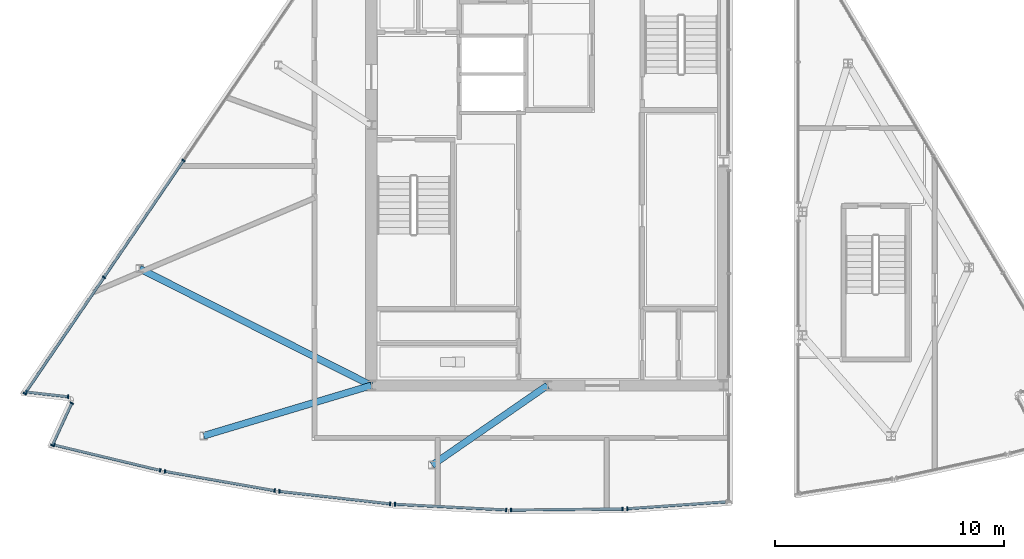
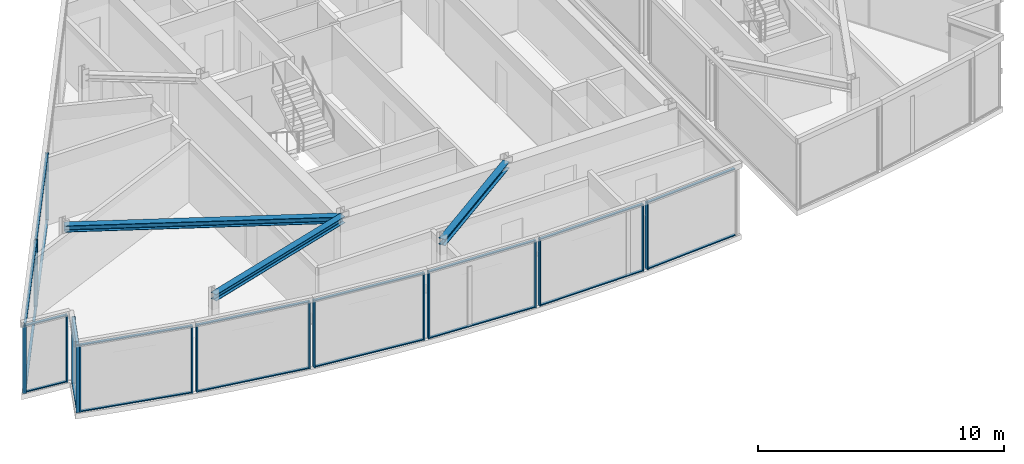
# One storey, part 3 of 15: 38 members, 3 beams, 9 elements without a shape of their own.
"""IFC4 building model written with IfcOpenShell, lengths in metres."""

from ifc_helpers import new_model, si_unit, direction, frame, origin, origin_2d, place, context, subcontext, project, spatial, rectangle, i_section, extrude, material, material_profile, profile_set, type_object, element, aggregate, save


model = new_model("IFC4")

# Units and contexts
model_context = context("Model", 3, precision=1e-05, world=origin(), true_north=direction((0.0, 1.0)))
body_context = subcontext(model_context, "Body", "Model", "MODEL_VIEW")
ifc_project = project(units=[si_unit("LENGTHUNIT", "METRE"), si_unit("AREAUNIT", "SQUARE_METRE"), si_unit("VOLUMEUNIT", "CUBIC_METRE"), si_unit("PLANEANGLEUNIT", "RADIAN"), si_unit("MASSUNIT", "GRAM", prefix="KILO")], contexts=[model_context])

# Site, building, storey
site_placement = place(None, origin())
site = spatial("IfcSite", under=ifc_project, at=site_placement, CompositionType="ELEMENT")
building_placement = place(site_placement, origin())
building = spatial("IfcBuilding", under=site, at=building_placement, Name="Savorim Split Tower", CompositionType="ELEMENT")
storey_placement = place(building_placement, frame((0.0, 0.0, 308.39990234375)))
storey = spatial("IfcBuildingStorey", under=building, at=storey_placement, Name="Crown L82 Plant", CompositionType="ELEMENT", Elevation=308.39990234375)

# Beams
ifc_material_1 = material(Name="Steel S355", Category="steel")
ifc_material_profile_1 = material_profile(ifc_material_1, i_section(OverallWidth=0.300048828125, OverallDepth=0.320068359375, WebThickness=0.011474609375, FlangeThickness=0.0205078125, FilletRadius=0.027099609375, at=origin_2d()), Name="HEB 320")
ifc_profile_set_1 = profile_set([ifc_material_profile_1], Name="Steel S355")
beam_type = type_object("IfcBeamType", Name="BM-PRI-HEB320", PredefinedType="BEAM", material=ifc_profile_set_1)
beam_1_placement = place(storey_placement, frame((-15.037109375, -11.6015625, 3.18017578125), z_axis=(0.957807862617, 0.287409287096, 0.0), x_axis=(-0.287409287096, 0.957807862617, 0.0)))
element("IfcBeam", 1, at=beam_1_placement, inside=storey, type_object=beam_type, Name="Crown L82 Plant West Crown Beam WBG-1", PredefinedType="BEAM", context=body_context, shape_type="SweptSolid", body=[
    extrude(i_section(OverallWidth=0.300048828125, OverallDepth=0.320068359375, WebThickness=0.011474609375, FlangeThickness=0.0205078125, FilletRadius=0.027099609375, at=origin_2d()), origin(), (0.0, 0.0, 1.0), 7.660400390625),
])
beam_2_placement = place(storey_placement, frame((-5.039794921875, -12.885009765625, 3.18017578125), z_axis=(0.82249616242, 0.568770659233, 0.0), x_axis=(-0.568770659233, 0.82249616242, 0.0)))
element("IfcBeam", 2, at=beam_2_placement, inside=storey, type_object=beam_type, Name="Crown L82 Plant West Crown Beam WBG-2", PredefinedType="BEAM", context=body_context, shape_type="SweptSolid", body=[
    extrude(i_section(OverallWidth=0.300048828125, OverallDepth=0.320068359375, WebThickness=0.011474609375, FlangeThickness=0.0205078125, FilletRadius=0.027099609375, at=origin_2d()), origin(), (0.0, 0.0, 1.0), 6.12744140625),
])
beam_3_placement = place(storey_placement, frame((-17.84033203125, -4.288818359375, 3.18017578125), z_axis=(0.892982084202, -0.450092209769, 0.0), x_axis=(0.450092209769, 0.892982084202, 0.0)))
element("IfcBeam", 3, at=beam_3_placement, inside=storey, type_object=beam_type, Name="Crown L82 Plant West Crown Beam WBG-3", PredefinedType="BEAM", context=body_context, shape_type="SweptSolid", body=[
    extrude(i_section(OverallWidth=0.300048828125, OverallDepth=0.320068359375, WebThickness=0.011474609375, FlangeThickness=0.0205078125, FilletRadius=0.027099609375, at=origin_2d()), origin(), (0.0, 0.0, 1.0), 11.355712890625),
])

# Curtain wall, members
ifc_material_2 = material(Name="Dark Ceramic-Fritted Insulated Glass", Category="glass")
curtain_wall_type = type_object("IfcCurtainWallType", Name="CW-CROWN-CREST", PredefinedType="NOTDEFINED", material=ifc_material_2)
curtain_wall_1_placement = place(storey_placement, origin())
curtain_wall_1 = element("IfcCurtainWall", 4, at=curtain_wall_1_placement, inside=storey, type_object=curtain_wall_type, Name="Crown L82 Plant Curtain Wall CW-Crown-L82-Plant-W5A", PredefinedType="NOTDEFINED")
ifc_material_3 = material(Name="Charcoal Anodised Aluminium", Category="aluminium")
ifc_material_profile_2 = material_profile(ifc_material_3, rectangle(XDim=0.159912109375, YDim=0.06005859375, at=origin_2d()), Name="ALU-M 160x60")
ifc_profile_set_2 = profile_set([ifc_material_profile_2], Name="Charcoal Anodised Aluminium")
member_type_1 = type_object("IfcMemberType", Name="CWM-160x60", PredefinedType="MULLION", material=ifc_profile_set_2)
member_1_placement = place(storey_placement, frame((-15.920654296875, 0.44140625, 0.0), z_axis=(0.0, 0.0, 1.0), x_axis=(0.826820209183, -0.562466302712, 0.0)))
member_1 = element("IfcMember", 5, at=member_1_placement, type_object=member_type_1, Name="CW-07 mullion 5", PredefinedType="MULLION", context=body_context, shape_type="SweptSolid", body=[
    extrude(rectangle(XDim=0.159912109375, YDim=0.06005859375, at=origin_2d()), origin(), (0.0, 0.0, 1.0), 3.340087890625),
])
member_2_placement = place(storey_placement, frame((-19.398681640625, -4.67138671875, 0.0), z_axis=(0.0, 0.0, 1.0), x_axis=(0.826820209183, -0.562466302712, 0.0)))
member_2 = element("IfcMember", 6, at=member_2_placement, type_object=member_type_1, Name="CW-07 mullion 6", PredefinedType="MULLION", context=body_context, shape_type="SweptSolid", body=[
    extrude(rectangle(XDim=0.159912109375, YDim=0.06005859375, at=origin_2d()), origin(), (0.0, 0.0, 1.0), 3.340087890625),
])
member_3_placement = place(storey_placement, frame((-22.85986328125, -9.75927734375, 0.0), z_axis=(0.0, 0.0, 1.0), x_axis=(0.826820209183, -0.562466302712, 0.0)))
member_3 = element("IfcMember", 7, at=member_3_placement, type_object=member_type_1, Name="CW-07 mullion 7", PredefinedType="MULLION", context=body_context, shape_type="SweptSolid", body=[
    extrude(rectangle(XDim=0.159912109375, YDim=0.06005859375, at=origin_2d()), origin(), (0.0, 0.0, 1.0), 3.340087890625),
])

curtain_wall_2_placement = place(storey_placement, origin())
curtain_wall_2 = element("IfcCurtainWall", 8, at=curtain_wall_2_placement, inside=storey, type_object=curtain_wall_type, Name="Crown L82 Plant Curtain Wall CW-Crown-L82-Plant-W6A", PredefinedType="NOTDEFINED")
member_4_placement = place(storey_placement, frame((-22.7939453125, -9.6875, 0.0), z_axis=(0.0, 0.0, 1.0), x_axis=(0.110957732907, 0.993825126221, 0.0)))
member_4 = element("IfcMember", 9, at=member_4_placement, type_object=member_type_1, Name="CW-07 mullion 1", PredefinedType="MULLION", context=body_context, shape_type="SweptSolid", body=[
    extrude(rectangle(XDim=0.159912109375, YDim=0.06005859375, at=origin_2d()), origin(), (0.0, 0.0, 1.0), 3.340087890625),
])
member_5_placement = place(storey_placement, frame((-20.96728515625, -9.891357421875, 0.0), z_axis=(0.0, 0.0, 1.0), x_axis=(0.110957732907, 0.993825126221, 0.0)))
member_5 = element("IfcMember", 10, at=member_5_placement, type_object=member_type_1, Name="CW-07 mullion 2", PredefinedType="MULLION", context=body_context, shape_type="SweptSolid", body=[
    extrude(rectangle(XDim=0.159912109375, YDim=0.06005859375, at=origin_2d()), origin(), (0.0, 0.0, 1.0), 3.340087890625),
])

curtain_wall_3_placement = place(storey_placement, origin())
curtain_wall_3 = element("IfcCurtainWall", 11, at=curtain_wall_3_placement, inside=storey, type_object=curtain_wall_type, Name="Crown L82 Plant Curtain Wall CW-Crown-L82-Plant-W7A", PredefinedType="NOTDEFINED")
member_6_placement = place(storey_placement, frame((-20.80810546875, -10.1728515625, 0.0), z_axis=(0.0, 0.0, 1.0), x_axis=(0.908685667649, -0.417480966524, 0.0)))
member_6 = element("IfcMember", 12, at=member_6_placement, type_object=member_type_1, Name="CW-07 mullion 1", PredefinedType="MULLION", context=body_context, shape_type="SweptSolid", body=[
    extrude(rectangle(XDim=0.159912109375, YDim=0.06005859375, at=origin_2d()), origin(), (0.0, 0.0, 1.0), 3.340087890625),
])
member_7_placement = place(storey_placement, frame((-21.65625, -12.01904296875, 0.0), z_axis=(0.0, 0.0, 1.0), x_axis=(0.908685667649, -0.417480966524, 0.0)))
member_7 = element("IfcMember", 13, at=member_7_placement, type_object=member_type_1, Name="CW-07 mullion 2", PredefinedType="MULLION", context=body_context, shape_type="SweptSolid", body=[
    extrude(rectangle(XDim=0.159912109375, YDim=0.06005859375, at=origin_2d()), origin(), (0.0, 0.0, 1.0), 3.340087890625),
])

curtain_wall_4_placement = place(storey_placement, origin())
curtain_wall_4 = element("IfcCurtainWall", 14, at=curtain_wall_4_placement, inside=storey, type_object=curtain_wall_type, Name="Crown L82 Plant Curtain Wall CW-Crown-L82-Plant-W8A", PredefinedType="NOTDEFINED")
member_8_placement = place(storey_placement, frame((-21.57421875, -12.002197265625, 0.0), z_axis=(0.0, 0.0, 1.0), x_axis=(0.233166112298, 0.972436920358, 0.0)))
member_8 = element("IfcMember", 15, at=member_8_placement, type_object=member_type_1, Name="CW-07 mullion 1", PredefinedType="MULLION", context=body_context, shape_type="SweptSolid", body=[
    extrude(rectangle(XDim=0.159912109375, YDim=0.06005859375, at=origin_2d()), origin(), (0.0, 0.0, 1.0), 3.340087890625),
])
member_9_placement = place(storey_placement, frame((-16.93798828125, -13.114013671875, 0.0), z_axis=(0.0, 0.0, 1.0), x_axis=(0.233166112298, 0.972436920358, 0.0)))
member_9 = element("IfcMember", 16, at=member_9_placement, type_object=member_type_1, Name="CW-07 mullion 2", PredefinedType="MULLION", context=body_context, shape_type="SweptSolid", body=[
    extrude(rectangle(XDim=0.159912109375, YDim=0.06005859375, at=origin_2d()), origin(), (0.0, 0.0, 1.0), 3.340087890625),
])

curtain_wall_5_placement = place(storey_placement, origin())
curtain_wall_5 = element("IfcCurtainWall", 17, at=curtain_wall_5_placement, inside=storey, type_object=curtain_wall_type, Name="Crown L82 Plant Curtain Wall CW-Crown-L82-Plant-W9A", PredefinedType="NOTDEFINED")
member_10_placement = place(storey_placement, frame((-16.72998046875, -13.156982421875, 0.0), z_axis=(0.0, 0.0, 1.0), x_axis=(0.173062415713, 0.984910859046, 0.0)))
member_10 = element("IfcMember", 18, at=member_10_placement, type_object=member_type_1, Name="CW-07 mullion 1", PredefinedType="MULLION", context=body_context, shape_type="SweptSolid", body=[
    extrude(rectangle(XDim=0.159912109375, YDim=0.06005859375, at=origin_2d()), origin(), (0.0, 0.0, 1.0), 3.340087890625),
])
member_11_placement = place(storey_placement, frame((-11.93115234375, -14.000244140625, 0.0), z_axis=(0.0, 0.0, 1.0), x_axis=(0.173062415713, 0.984910859046, 0.0)))
member_11 = element("IfcMember", 19, at=member_11_placement, type_object=member_type_1, Name="CW-07 mullion 2", PredefinedType="MULLION", context=body_context, shape_type="SweptSolid", body=[
    extrude(rectangle(XDim=0.159912109375, YDim=0.06005859375, at=origin_2d()), origin(), (0.0, 0.0, 1.0), 3.340087890625),
])

curtain_wall_6_placement = place(storey_placement, origin())
curtain_wall_6 = element("IfcCurtainWall", 20, at=curtain_wall_6_placement, inside=storey, type_object=curtain_wall_type, Name="Crown L82 Plant Curtain Wall CW-Crown-L82-Plant-W10A", PredefinedType="NOTDEFINED")
member_12_placement = place(storey_placement, frame((-11.720703125, -14.030517578125, 0.0), z_axis=(0.0, 0.0, 1.0), x_axis=(0.112318298183, 0.993672279926, 0.0)))
member_12 = element("IfcMember", 21, at=member_12_placement, type_object=member_type_1, Name="CW-07 mullion 1", PredefinedType="MULLION", context=body_context, shape_type="SweptSolid", body=[
    extrude(rectangle(XDim=0.159912109375, YDim=0.06005859375, at=origin_2d()), origin(), (0.0, 0.0, 1.0), 3.340087890625),
])
member_13_placement = place(storey_placement, frame((-6.879150390625, -14.577880859375, 0.0), z_axis=(0.0, 0.0, 1.0), x_axis=(0.112318298183, 0.993672279926, 0.0)))
member_13 = element("IfcMember", 22, at=member_13_placement, type_object=member_type_1, Name="CW-07 mullion 2", PredefinedType="MULLION", context=body_context, shape_type="SweptSolid", body=[
    extrude(rectangle(XDim=0.159912109375, YDim=0.06005859375, at=origin_2d()), origin(), (0.0, 0.0, 1.0), 3.340087890625),
])

curtain_wall_7_placement = place(storey_placement, origin())
curtain_wall_7 = element("IfcCurtainWall", 23, at=curtain_wall_7_placement, inside=storey, type_object=curtain_wall_type, Name="Crown L82 Plant Curtain Wall CW-Crown-L82-Plant-W11A", PredefinedType="NOTDEFINED")
member_14_placement = place(storey_placement, frame((-6.66748046875, -14.59521484375, 0.0), z_axis=(0.0, 0.0, 1.0), x_axis=(0.0511509789, 0.998690931849, 0.0)))
member_14 = element("IfcMember", 24, at=member_14_placement, type_object=member_type_1, Name="CW-07 mullion 1", PredefinedType="MULLION", context=body_context, shape_type="SweptSolid", body=[
    extrude(rectangle(XDim=0.159912109375, YDim=0.06005859375, at=origin_2d()), origin(), (0.0, 0.0, 1.0), 3.340087890625),
])
member_15_placement = place(storey_placement, frame((-1.80126953125, -14.844482421875, 0.0), z_axis=(0.0, 0.0, 1.0), x_axis=(0.0511509789, 0.998690931849, 0.0)))
member_15 = element("IfcMember", 25, at=member_15_placement, type_object=member_type_1, Name="CW-07 mullion 2", PredefinedType="MULLION", context=body_context, shape_type="SweptSolid", body=[
    extrude(rectangle(XDim=0.159912109375, YDim=0.06005859375, at=origin_2d()), origin(), (0.0, 0.0, 1.0), 3.340087890625),
])

curtain_wall_8_placement = place(storey_placement, origin())
curtain_wall_8 = element("IfcCurtainWall", 26, at=curtain_wall_8_placement, inside=storey, type_object=curtain_wall_type, Name="Crown L82 Plant Curtain Wall CW-Crown-L82-Plant-W12A", PredefinedType="NOTDEFINED")
member_16_placement = place(storey_placement, frame((-1.5888671875, -14.8486328125, 0.0), z_axis=(0.0, 0.0, 1.0), x_axis=(-0.010238509564, 0.999947585087, 0.0)))
member_16 = element("IfcMember", 27, at=member_16_placement, type_object=member_type_1, Name="CW-07 mullion 1", PredefinedType="MULLION", context=body_context, shape_type="SweptSolid", body=[
    extrude(rectangle(XDim=0.159912109375, YDim=0.06005859375, at=origin_2d()), origin(), (0.0, 0.0, 1.0), 3.340087890625),
])
member_17_placement = place(storey_placement, frame((3.283203125, -14.798828125, 0.0), z_axis=(0.0, 0.0, 1.0), x_axis=(-0.010238509564, 0.999947585087, 0.0)))
member_17 = element("IfcMember", 28, at=member_17_placement, type_object=member_type_1, Name="CW-07 mullion 2", PredefinedType="MULLION", context=body_context, shape_type="SweptSolid", body=[
    extrude(rectangle(XDim=0.159912109375, YDim=0.06005859375, at=origin_2d()), origin(), (0.0, 0.0, 1.0), 3.340087890625),
])

# Curtain wall, member
curtain_wall_9_placement = place(storey_placement, origin())
curtain_wall_9 = element("IfcCurtainWall", 29, at=curtain_wall_9_placement, inside=storey, type_object=curtain_wall_type, Name="Crown L82 Plant Curtain Wall CW-Crown-L82-Plant-W13A", PredefinedType="NOTDEFINED")
member_18_placement = place(storey_placement, frame((3.495849609375, -14.790283203125, 0.0), z_axis=(0.0, 0.0, 1.0), x_axis=(-0.069697104159, 0.99756820001, 0.0)))
member_18 = element("IfcMember", 30, at=member_18_placement, type_object=member_type_1, Name="CW-07 mullion 1", PredefinedType="MULLION", context=body_context, shape_type="SweptSolid", body=[
    extrude(rectangle(XDim=0.159912109375, YDim=0.06005859375, at=origin_2d()), origin(), (0.0, 0.0, 1.0), 3.340087890625),
])

# Member
ifc_material_profile_3 = material_profile(ifc_material_3, rectangle(XDim=0.1201171875, YDim=0.050048828125, at=origin_2d()), Name="ALU-T 120x50")
ifc_profile_set_3 = profile_set([ifc_material_profile_3], Name="Charcoal Anodised Aluminium")
member_type_2 = type_object("IfcMemberType", Name="CWT-120x50", PredefinedType="USERDEFINED", material=ifc_profile_set_3)
member_19_placement = place(storey_placement, frame((-15.9375, 0.41650390625, 0.025146484375), z_axis=(-0.562459408624, -0.826824899026, 0.0), x_axis=(0.826824899026, -0.562459408624, 0.0)))
member_19 = element("IfcMember", 31, at=member_19_placement, type_object=member_type_2, Name="CW-07 transom 5.1", ObjectType="TRANSOM", PredefinedType="USERDEFINED", context=body_context, shape_type="SweptSolid", body=[
    extrude(rectangle(XDim=0.1201171875, YDim=0.050048828125, at=origin_2d()), origin(), (0.0, 0.0, 1.0), 6.123779296875),
])

member_20_placement = place(storey_placement, frame((-15.9375, 0.41650390625, 3.315185546875), z_axis=(-0.562459408624, -0.826824899026, 0.0), x_axis=(0.826824899026, -0.562459408624, 0.0)))
member_20 = element("IfcMember", 32, at=member_20_placement, type_object=member_type_2, Name="CW-07 transom 5.2", ObjectType="TRANSOM", PredefinedType="USERDEFINED", context=body_context, shape_type="SweptSolid", body=[
    extrude(rectangle(XDim=0.1201171875, YDim=0.050048828125, at=origin_2d()), origin(), (0.0, 0.0, 1.0), 6.123779296875),
])

member_21_placement = place(storey_placement, frame((-19.41552734375, -4.6962890625, 0.025146484375), z_axis=(-0.562470007154, -0.826817689126, 0.0), x_axis=(0.826817689126, -0.562470007154, 0.0)))
member_21 = element("IfcMember", 33, at=member_21_placement, type_object=member_type_2, Name="CW-07 transom 6.1", ObjectType="TRANSOM", PredefinedType="USERDEFINED", context=body_context, shape_type="SweptSolid", body=[
    extrude(rectangle(XDim=0.1201171875, YDim=0.050048828125, at=origin_2d()), origin(), (0.0, 0.0, 1.0), 6.09375),
])

member_22_placement = place(storey_placement, frame((-19.41552734375, -4.6962890625, 3.315185546875), z_axis=(-0.562470007154, -0.826817689126, 0.0), x_axis=(0.826817689126, -0.562470007154, 0.0)))
member_22 = element("IfcMember", 34, at=member_22_placement, type_object=member_type_2, Name="CW-07 transom 6.2", ObjectType="TRANSOM", PredefinedType="USERDEFINED", context=body_context, shape_type="SweptSolid", body=[
    extrude(rectangle(XDim=0.1201171875, YDim=0.050048828125, at=origin_2d()), origin(), (0.0, 0.0, 1.0), 6.09375),
])

aggregate(curtain_wall_1, [member_1, member_2, member_3, member_19, member_20, member_21, member_22])

member_23_placement = place(storey_placement, frame((-22.76416015625, -9.690673828125, 0.025146484375), z_axis=(0.993826670504, -0.110943900217, 0.0), x_axis=(0.110943900217, 0.993826670504, 0.0)))
member_23 = element("IfcMember", 35, at=member_23_placement, type_object=member_type_2, Name="CW-07 transom 1.1", ObjectType="TRANSOM", PredefinedType="USERDEFINED", context=body_context, shape_type="SweptSolid", body=[
    extrude(rectangle(XDim=0.1201171875, YDim=0.050048828125, at=origin_2d()), origin(), (0.0, 0.0, 1.0), 1.778076171875),
])

member_24_placement = place(storey_placement, frame((-22.76416015625, -9.690673828125, 3.315185546875), z_axis=(0.993826670504, -0.110943900217, 0.0), x_axis=(0.110943900217, 0.993826670504, 0.0)))
member_24 = element("IfcMember", 36, at=member_24_placement, type_object=member_type_2, Name="CW-07 transom 1.2", ObjectType="TRANSOM", PredefinedType="USERDEFINED", context=body_context, shape_type="SweptSolid", body=[
    extrude(rectangle(XDim=0.1201171875, YDim=0.050048828125, at=origin_2d()), origin(), (0.0, 0.0, 1.0), 1.778076171875),
])

aggregate(curtain_wall_2, [member_4, member_5, member_23, member_24])

member_25_placement = place(storey_placement, frame((-20.820556640625, -10.2001953125, 0.025146484375), z_axis=(-0.417549911469, -0.908653988838, 0.0), x_axis=(0.908653988838, -0.417549911469, 0.0)))
member_25 = element("IfcMember", 37, at=member_25_placement, type_object=member_type_2, Name="CW-07 transom 1.1", ObjectType="TRANSOM", PredefinedType="USERDEFINED", context=body_context, shape_type="SweptSolid", body=[
    extrude(rectangle(XDim=0.1201171875, YDim=0.050048828125, at=origin_2d()), origin(), (0.0, 0.0, 1.0), 1.9716796875),
])

member_26_placement = place(storey_placement, frame((-20.820556640625, -10.2001953125, 3.315185546875), z_axis=(-0.417549911469, -0.908653988838, 0.0), x_axis=(0.908653988838, -0.417549911469, 0.0)))
member_26 = element("IfcMember", 38, at=member_26_placement, type_object=member_type_2, Name="CW-07 transom 1.2", ObjectType="TRANSOM", PredefinedType="USERDEFINED", context=body_context, shape_type="SweptSolid", body=[
    extrude(rectangle(XDim=0.1201171875, YDim=0.050048828125, at=origin_2d()), origin(), (0.0, 0.0, 1.0), 1.9716796875),
])

aggregate(curtain_wall_3, [member_6, member_7, member_25, member_26])

member_27_placement = place(storey_placement, frame((-21.544921875, -12.00927734375, 0.025146484375), z_axis=(0.9724343592, -0.233176793545, 0.0), x_axis=(0.233176793545, 0.9724343592, 0.0)))
member_27 = element("IfcMember", 39, at=member_27_placement, type_object=member_type_2, Name="CW-07 transom 1.1", ObjectType="TRANSOM", PredefinedType="USERDEFINED", context=body_context, shape_type="SweptSolid", body=[
    extrude(rectangle(XDim=0.1201171875, YDim=0.050048828125, at=origin_2d()), origin(), (0.0, 0.0, 1.0), 4.70751953125),
])

member_28_placement = place(storey_placement, frame((-21.544921875, -12.00927734375, 3.315185546875), z_axis=(0.9724343592, -0.233176793545, 0.0), x_axis=(0.233176793545, 0.9724343592, 0.0)))
member_28 = element("IfcMember", 40, at=member_28_placement, type_object=member_type_2, Name="CW-07 transom 1.2", ObjectType="TRANSOM", PredefinedType="USERDEFINED", context=body_context, shape_type="SweptSolid", body=[
    extrude(rectangle(XDim=0.1201171875, YDim=0.050048828125, at=origin_2d()), origin(), (0.0, 0.0, 1.0), 4.70751953125),
])

aggregate(curtain_wall_4, [member_8, member_9, member_27, member_28])

member_29_placement = place(storey_placement, frame((-16.700439453125, -13.162353515625, 0.025146484375), z_axis=(0.984913517447, -0.173047285877, 0.0), x_axis=(0.173047285877, 0.984913517447, 0.0)))
member_29 = element("IfcMember", 41, at=member_29_placement, type_object=member_type_2, Name="CW-07 transom 1.1", ObjectType="TRANSOM", PredefinedType="USERDEFINED", context=body_context, shape_type="SweptSolid", body=[
    extrude(rectangle(XDim=0.1201171875, YDim=0.050048828125, at=origin_2d()), origin(), (0.0, 0.0, 1.0), 4.812255859375),
])

member_30_placement = place(storey_placement, frame((-16.700439453125, -13.162353515625, 3.315185546875), z_axis=(0.984913517447, -0.173047285877, 0.0), x_axis=(0.173047285877, 0.984913517447, 0.0)))
member_30 = element("IfcMember", 42, at=member_30_placement, type_object=member_type_2, Name="CW-07 transom 1.2", ObjectType="TRANSOM", PredefinedType="USERDEFINED", context=body_context, shape_type="SweptSolid", body=[
    extrude(rectangle(XDim=0.1201171875, YDim=0.050048828125, at=origin_2d()), origin(), (0.0, 0.0, 1.0), 4.812255859375),
])

aggregate(curtain_wall_5, [member_10, member_11, member_29, member_30])

member_31_placement = place(storey_placement, frame((-11.69091796875, -14.033935546875, 0.025146484375), z_axis=(0.993672211998, -0.112318899135, 0.0), x_axis=(0.112318899135, 0.993672211998, 0.0)))
member_31 = element("IfcMember", 43, at=member_31_placement, type_object=member_type_2, Name="CW-07 transom 1.1", ObjectType="TRANSOM", PredefinedType="USERDEFINED", context=body_context, shape_type="SweptSolid", body=[
    extrude(rectangle(XDim=0.1201171875, YDim=0.050048828125, at=origin_2d()), origin(), (0.0, 0.0, 1.0), 4.8125),
])

member_32_placement = place(storey_placement, frame((-11.69091796875, -14.033935546875, 3.315185546875), z_axis=(0.993672211998, -0.112318899135, 0.0), x_axis=(0.112318899135, 0.993672211998, 0.0)))
member_32 = element("IfcMember", 44, at=member_32_placement, type_object=member_type_2, Name="CW-07 transom 1.2", ObjectType="TRANSOM", PredefinedType="USERDEFINED", context=body_context, shape_type="SweptSolid", body=[
    extrude(rectangle(XDim=0.1201171875, YDim=0.050048828125, at=origin_2d()), origin(), (0.0, 0.0, 1.0), 4.8125),
])

aggregate(curtain_wall_6, [member_12, member_13, member_31, member_32])

member_33_placement = place(storey_placement, frame((-6.637451171875, -14.5966796875, 0.025146484375), z_axis=(0.998691652395, -0.051136908748, 0.0), x_axis=(0.051136908748, 0.998691652395, 0.0)))
member_33 = element("IfcMember", 45, at=member_33_placement, type_object=member_type_2, Name="CW-07 transom 1.1", ObjectType="TRANSOM", PredefinedType="USERDEFINED", context=body_context, shape_type="SweptSolid", body=[
    extrude(rectangle(XDim=0.1201171875, YDim=0.050048828125, at=origin_2d()), origin(), (0.0, 0.0, 1.0), 4.8125),
])

member_34_placement = place(storey_placement, frame((-6.637451171875, -14.5966796875, 3.315185546875), z_axis=(0.998691652395, -0.051136908748, 0.0), x_axis=(0.051136908748, 0.998691652395, 0.0)))
member_34 = element("IfcMember", 46, at=member_34_placement, type_object=member_type_2, Name="CW-07 transom 1.2", ObjectType="TRANSOM", PredefinedType="USERDEFINED", context=body_context, shape_type="SweptSolid", body=[
    extrude(rectangle(XDim=0.1201171875, YDim=0.050048828125, at=origin_2d()), origin(), (0.0, 0.0, 1.0), 4.8125),
])

aggregate(curtain_wall_7, [member_14, member_15, member_33, member_34])

member_35_placement = place(storey_placement, frame((-1.558837890625, -14.848388671875, 0.025146484375), z_axis=(0.999947492515, 0.010247546725, 0.0), x_axis=(-0.010247546725, 0.999947492515, 0.0)))
member_35 = element("IfcMember", 47, at=member_35_placement, type_object=member_type_2, Name="CW-07 transom 1.1", ObjectType="TRANSOM", PredefinedType="USERDEFINED", context=body_context, shape_type="SweptSolid", body=[
    extrude(rectangle(XDim=0.1201171875, YDim=0.050048828125, at=origin_2d()), origin(), (0.0, 0.0, 1.0), 4.8125),
])

member_36_placement = place(storey_placement, frame((-1.558837890625, -14.848388671875, 3.315185546875), z_axis=(0.999947492515, 0.010247546725, 0.0), x_axis=(-0.010247546725, 0.999947492515, 0.0)))
member_36 = element("IfcMember", 48, at=member_36_placement, type_object=member_type_2, Name="CW-07 transom 1.2", ObjectType="TRANSOM", PredefinedType="USERDEFINED", context=body_context, shape_type="SweptSolid", body=[
    extrude(rectangle(XDim=0.1201171875, YDim=0.050048828125, at=origin_2d()), origin(), (0.0, 0.0, 1.0), 4.8125),
])

aggregate(curtain_wall_8, [member_16, member_17, member_35, member_36])

member_37_placement = place(storey_placement, frame((3.525634765625, -14.788330078125, 0.025146484375), z_axis=(0.997566070936, 0.069727570712, 0.0), x_axis=(-0.069727570712, 0.997566070936, 0.0)))
member_37 = element("IfcMember", 49, at=member_37_placement, type_object=member_type_2, Name="CW-07 transom 1.1", ObjectType="TRANSOM", PredefinedType="USERDEFINED", context=body_context, shape_type="SweptSolid", body=[
    extrude(rectangle(XDim=0.1201171875, YDim=0.050048828125, at=origin_2d()), origin(), (0.0, 0.0, 1.0), 4.2822265625),
])

member_38_placement = place(storey_placement, frame((3.525634765625, -14.788330078125, 3.315185546875), z_axis=(0.997566070936, 0.069727570712, 0.0), x_axis=(-0.069727570712, 0.997566070936, 0.0)))
member_38 = element("IfcMember", 50, at=member_38_placement, type_object=member_type_2, Name="CW-07 transom 1.2", ObjectType="TRANSOM", PredefinedType="USERDEFINED", context=body_context, shape_type="SweptSolid", body=[
    extrude(rectangle(XDim=0.1201171875, YDim=0.050048828125, at=origin_2d()), origin(), (0.0, 0.0, 1.0), 4.2822265625),
])

aggregate(curtain_wall_9, [member_18, member_37, member_38])

save(model, "model.ifc")
